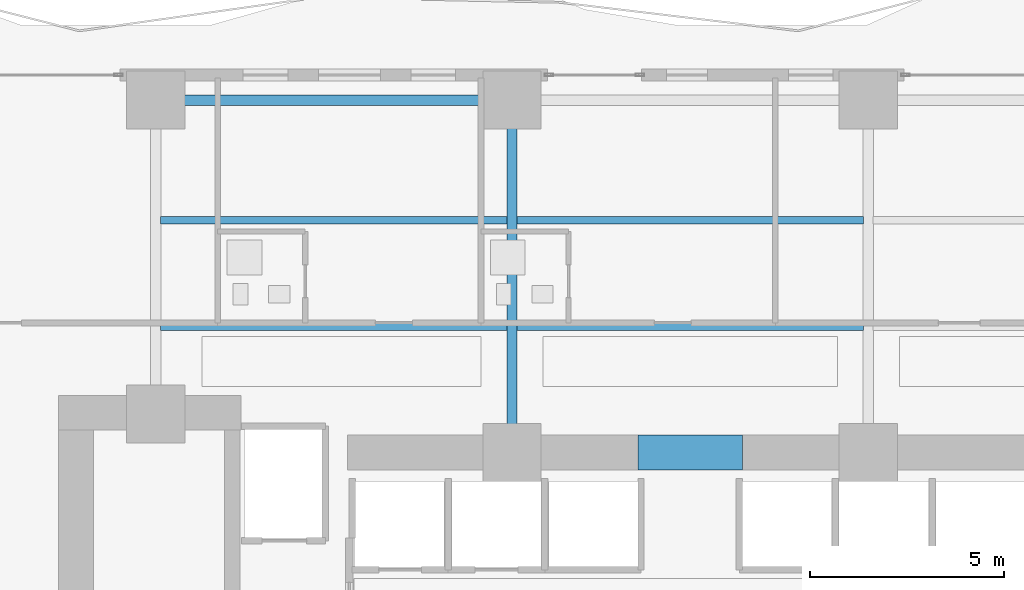
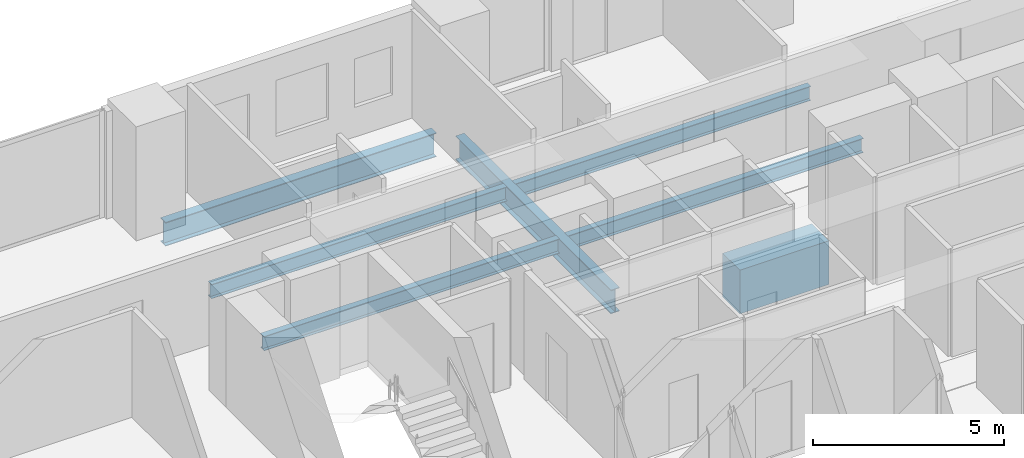
# One storey, part 14 of 28: 7 beams.
"""IFC4 building model written with IfcOpenShell, lengths in metres."""

import ifcopenshell
import ifcopenshell.guid

model = None  # the IFC model being written
_history = None  # IfcOwnerHistory: only IFC2X3 demands one
_inside = {}  # id of a spatial element -> (the spatial element, [elements in it])
_under = {}  # id of a project, library or spatial element -> (it, [spatial elements below it])
_declared = {}  # id of a project -> (the project, [libraries it declares])
_typed = {}  # id of a type object -> (the type object, [elements of that type])
_made_of = {}  # id of a material, layer set ... -> (it, [elements and type objects made of it])


def new_model(schema):
    """Start an empty IFC model of exactly this schema.

    Asked for "IFC4X3", IfcOpenShell would pick the latest addendum, in which some entities
    have other attributes; the version numbers below select the first issue.
    IFC2X3 requires an IfcOwnerHistory on every rooted entity: one is made here for all.
    """
    global model, _history
    if schema == "IFC4X3":
        model = ifcopenshell.file(schema_version=(4, 3, 0, 0))
    else:
        model = ifcopenshell.file(schema=schema)
    _inside.clear()
    _under.clear()
    _declared.clear()
    _typed.clear()
    _made_of.clear()
    _history = None
    if model.schema == "IFC2X3":
        org = make("IfcOrganization", Name="unknown")
        user = make(
            "IfcPersonAndOrganization",
            ThePerson=make("IfcPerson", FamilyName="unknown"),
            TheOrganization=org,
        )
        app = make(
            "IfcApplication",
            ApplicationDeveloper=org,
            Version="unknown",
            ApplicationFullName="unknown",
            ApplicationIdentifier="unknown",
        )
        _history = make(
            "IfcOwnerHistory",
            OwningUser=user,
            OwningApplication=app,
            ChangeAction="ADDED",
            CreationDate=0,
        )
    return model


def make(cls, **values):
    """One entity of the class cls with the attributes given. An attribute that is None is left unset."""
    return model.create_entity(
        cls, **{name: value for name, value in values.items() if value is not None}
    )


def rooted(cls, **values):
    """An entity with a GlobalId (a new one), such as an element, a storey or a relation."""
    return make(cls, GlobalId=ifcopenshell.guid.new(), OwnerHistory=_history, **values)


def si_unit(unit_type, name, prefix=None):
    """IfcSIUnit, for example si_unit("LENGTHUNIT", "METRE", prefix="MILLI")."""
    return make("IfcSIUnit", UnitType=unit_type, Prefix=prefix, Name=name)


def assignment(units):
    """IfcUnitAssignment: the units of a project."""
    return None if units is None else make("IfcUnitAssignment", Units=units)


def point(xyz):
    """IfcCartesianPoint."""
    return None if xyz is None else make("IfcCartesianPoint", Coordinates=xyz)


def direction(xyz):
    """IfcDirection."""
    return None if xyz is None else make("IfcDirection", DirectionRatios=xyz)


def frame(location, z_axis=None, x_axis=None):
    """IfcAxis2Placement3D, a coordinate frame: its origin and axes. An axis left out is left unset."""
    return make(
        "IfcAxis2Placement3D",
        Location=point(location),
        Axis=direction(z_axis),
        RefDirection=direction(x_axis),
    )


def frame_2d(location, x_axis=None):
    """IfcAxis2Placement2D, a coordinate frame in the plane: its origin and x axis."""
    return make(
        "IfcAxis2Placement2D", Location=point(location), RefDirection=direction(x_axis)
    )


def origin():
    """The frame at (0, 0, 0) with its axes left unset."""
    return frame((0.0, 0.0, 0.0))


def origin_2d():
    """The frame at (0, 0) in the plane with its x axis left unset."""
    return frame_2d((0.0, 0.0))


def place(relative_to, where):
    """IfcLocalPlacement: puts the frame where relative to a parent placement (None: the world)."""
    return make(
        "IfcLocalPlacement", PlacementRelTo=relative_to, RelativePlacement=where
    )


def context(
    kind, dimensions, precision=None, world=None, true_north=None, identifier=None
):
    """IfcGeometricRepresentationContext, for example the 3D "Model" context."""
    return make(
        "IfcGeometricRepresentationContext",
        ContextIdentifier=identifier,
        ContextType=kind,
        CoordinateSpaceDimension=dimensions,
        Precision=precision,
        WorldCoordinateSystem=world,
        TrueNorth=true_north,
    )


def subcontext(parent, identifier, kind, view, scale=None):
    """IfcGeometricRepresentationSubContext, for example "Body" below "Model"."""
    return make(
        "IfcGeometricRepresentationSubContext",
        ContextIdentifier=identifier,
        ContextType=kind,
        ParentContext=parent,
        TargetScale=scale,
        TargetView=view,
    )


def project(units=None, contexts=None):
    """IfcProject with its units and contexts."""
    return rooted(
        "IfcProject",
        Name="project",
        RepresentationContexts=contexts,
        UnitsInContext=assignment(units),
    )


def spatial(cls, under=None, at=None, **own):
    """A site, building, storey or space (cls), placed at a placement, below another one or the project."""
    s = rooted(cls, ObjectPlacement=at, **own)
    if under is not None:
        _under.setdefault(under.id(), (under, []))[1].append(s)
    return s


def profile(cls, at=None, kind="AREA", **sizes):
    """A parametric profile (cls). Its sizes go by their IFC names, for example OverallWidth=200.0."""
    return make(cls, ProfileType=kind, Position=at, **sizes)


def rectangle(**sizes):
    """IfcRectangleProfileDef."""
    return profile("IfcRectangleProfileDef", **sizes)


def i_section(**sizes):
    """IfcIShapeProfileDef."""
    return profile("IfcIShapeProfileDef", **sizes)


def extrude(swept, where, along, depth):
    """IfcExtrudedAreaSolid: the profile swept, set in the frame where, extruded along a direction by depth."""
    return make(
        "IfcExtrudedAreaSolid",
        SweptArea=swept,
        Position=where,
        ExtrudedDirection=direction(along),
        Depth=depth,
    )


def shape(context_of_items, identifier, shape_type, items):
    """IfcShapeRepresentation: the items that make up one representation, for example the "Body"."""
    return make(
        "IfcShapeRepresentation",
        ContextOfItems=context_of_items,
        RepresentationIdentifier=identifier,
        RepresentationType=shape_type,
        Items=items,
    )


def material(Name=None, Category=None):
    """IfcMaterial."""
    return make("IfcMaterial", Name=Name, Category=Category)


def material_profile(
    of_material, cross_section, Name=None, Category=None, Priority=None
):
    """IfcMaterialProfile: a cross section and its material."""
    return make(
        "IfcMaterialProfile",
        Name=Name,
        Material=of_material,
        Profile=cross_section,
        Priority=Priority,
        Category=Category,
    )


def profile_set(profiles, Name=None, composite=None):
    """IfcMaterialProfileSet."""
    return make(
        "IfcMaterialProfileSet",
        Name=Name,
        MaterialProfiles=profiles,
        CompositeProfile=composite,
    )


def made_of(thing, what):
    """Note that an element or type object is made of a material, layer set ...; save() writes the relation."""
    if what is not None:
        _made_of.setdefault(what.id(), (what, []))[1].append(thing)
    return thing


def type_object(cls, material=None, **own):
    """A type object (cls), such as IfcWallType, which elements share."""
    return made_of(rooted(cls, **own), material)


def element(
    cls,
    number,
    at=None,
    inside=None,
    cuts=None,
    type_object=None,
    material=None,
    context=None,
    identifier="Body",
    shape_type=None,
    held_by="IfcProductDefinitionShape",
    body=None,
    shapes=None,
    **own,
):
    """One element of the class cls, such as IfcWall. Its Tag is "e" and its number.

    at: its placement. inside: the storey or other place that contains it. cuts: it is an
    opening in that element (IfcRelVoidsElement). A single representation is given by context,
    identifier, shape_type and body (its items); several are given by shapes. held_by: the class
    of the entity that holds the representations. save() writes the other relations.
    """
    e = rooted(cls, Tag="e%d" % number, ObjectPlacement=at, **own)
    if body is not None:
        shapes = [shape(context, identifier, shape_type, body)]
    if shapes is not None:
        e.Representation = make(held_by, Representations=shapes)
    if inside is not None:
        _inside.setdefault(inside.id(), (inside, []))[1].append(e)
    if cuts is not None:
        rooted(
            "IfcRelVoidsElement", RelatingBuildingElement=cuts, RelatedOpeningElement=e
        )
    if type_object is not None:
        _typed.setdefault(type_object.id(), (type_object, []))[1].append(e)
    return made_of(e, material)


def aggregate(whole, parts):
    """IfcRelAggregates: a whole, such as a stair, and the parts it consists of."""
    return rooted("IfcRelAggregates", RelatingObject=whole, RelatedObjects=parts)


def save(model, path):
    """Write the relations noted so far, then the file.

    IfcRelAggregates (storeys below a building ...), IfcRelContainedInSpatialStructure (elements
    in a storey), IfcRelDefinesByType, IfcRelAssociatesMaterial and IfcRelDeclares: one each for
    every whole, place, type object, material and project.
    """
    for whole, parts in _under.values():
        aggregate(whole, parts)
    for where, things in _inside.values():
        rooted(
            "IfcRelContainedInSpatialStructure",
            RelatedElements=things,
            RelatingStructure=where,
        )
    for kind, things in _typed.values():
        rooted("IfcRelDefinesByType", RelatedObjects=things, RelatingType=kind)
    for what, things in _made_of.values():
        rooted("IfcRelAssociatesMaterial", RelatedObjects=things, RelatingMaterial=what)
    for by, libraries in _declared.values():
        rooted("IfcRelDeclares", RelatingContext=by, RelatedDefinitions=libraries)
    model.write(path)


model = new_model("IFC4")

# Units and contexts
model_context = context("Model", 3, precision=1e-05, world=origin(), true_north=direction((0.0, 1.0)))
body_context = subcontext(model_context, "Body", "Model", "MODEL_VIEW")
ifc_project = project(units=[si_unit("LENGTHUNIT", "METRE"), si_unit("AREAUNIT", "SQUARE_METRE"), si_unit("VOLUMEUNIT", "CUBIC_METRE"), si_unit("PLANEANGLEUNIT", "RADIAN"), si_unit("MASSUNIT", "GRAM", prefix="KILO")], contexts=[model_context])

# Site, building, storey
site_placement = place(None, origin())
site = spatial("IfcSite", under=ifc_project, at=site_placement, CompositionType="ELEMENT")
building_placement = place(site_placement, origin())
building = spatial("IfcBuilding", under=site, at=building_placement, Name="Zuhayl Quay Hotel", CompositionType="ELEMENT")
storey_placement = place(building_placement, frame((0.0, 0.0, 49.5)))
storey = spatial("IfcBuildingStorey", under=building, at=storey_placement, Name="L11", CompositionType="ELEMENT", Elevation=49.5)

# Beams
ifc_material_1 = material(Name="Steel ASTM A992 Grade 50", Category="steel")
ifc_material_profile_1 = material_profile(ifc_material_1, i_section(OverallWidth=0.26708984375, OverallDepth=0.761962890625, WebThickness=0.014404296875, FlangeThickness=0.021484375, at=origin_2d()), Name="W30X116")
ifc_profile_set_1 = profile_set([ifc_material_profile_1], Name="Steel ASTM A992 Grade 50")
beam_type_1 = type_object("IfcBeamType", Name="BM_B1_W30X116", PredefinedType="BEAM", material=ifc_profile_set_1)
beam_1_placement = place(storey_placement, frame((-5.10009765625, 22.449951171875, -0.60107421875), z_axis=(-1.0, 0.0, 0.0), x_axis=(0.0, -1.0, 0.0)))
element("IfcBeam", 1, at=beam_1_placement, inside=storey, type_object=beam_type_1, Name="L11 Floor Beam RG_L11_09", PredefinedType="BEAM", context=body_context, shape_type="SweptSolid", body=[
    extrude(i_section(OverallWidth=0.26708984375, OverallDepth=0.761962890625, WebThickness=0.014404296875, FlangeThickness=0.021484375, at=origin_2d()), origin(), (0.0, 0.0, 1.0), 8.199951171875),
])
beam_2_placement = place(storey_placement, frame((-4.60009765625, 13.800048828125, -0.60107421875), z_axis=(0.0, 1.0, 0.0), x_axis=(-1.0, 0.0, 0.0)))
element("IfcBeam", 2, at=beam_2_placement, inside=storey, type_object=beam_type_1, Name="L11 Floor Beam FG_N_L11_2", PredefinedType="BEAM", context=body_context, shape_type="SweptSolid", body=[
    extrude(i_section(OverallWidth=0.26708984375, OverallDepth=0.761962890625, WebThickness=0.014404296875, FlangeThickness=0.021484375, at=origin_2d()), origin(), (0.0, 0.0, 1.0), 8.14990234375),
])
ifc_material_2 = material(Name="Concrete C60/75", Category="concrete")
ifc_material_profile_2 = material_profile(ifc_material_2, rectangle(XDim=0.89990234375, YDim=1.39990234375, at=origin_2d()), Name="RC900X1400")
ifc_profile_set_2 = profile_set([ifc_material_profile_2], Name="Concrete C60/75")
beam_type_2 = type_object("IfcBeamType", Name="BM_CB1_RC900", PredefinedType="T_BEAM", material=ifc_profile_set_2)
beam_3_placement = place(storey_placement, frame((-1.35009765625, 13.35009765625, -0.919921875), z_axis=(1.0, 0.0, 0.0), x_axis=(0.0, 1.0, 0.0)))
element("IfcBeam", 3, at=beam_3_placement, inside=storey, type_object=beam_type_2, Name="L11 Core Coupling Beam North", PredefinedType="T_BEAM", context=body_context, shape_type="SweptSolid", body=[
    extrude(rectangle(XDim=0.89990234375, YDim=1.39990234375, at=origin_2d()), origin(), (0.0, 0.0, 1.0), 2.7001953125),
])
ifc_material_profile_3 = material_profile(ifc_material_1, i_section(OverallWidth=0.18994140625, OverallDepth=0.45703125, WebThickness=0.009033203125, FlangeThickness=0.014404296875, at=origin_2d()), Name="W18X50")
ifc_profile_set_3 = profile_set([ifc_material_profile_3], Name="Steel ASTM A992 Grade 50")
beam_type_3 = type_object("IfcBeamType", Name="BM_J2_W18X50", PredefinedType="JOIST", material=ifc_profile_set_3)
beam_4_placement = place(storey_placement, frame((-13.674560546875, 16.60009765625, -0.448486328125), z_axis=(1.0, 0.0, 0.0), x_axis=(0.0, 1.0, 0.0)))
element("IfcBeam", 4, at=beam_4_placement, inside=storey, type_object=beam_type_3, Name="L11 Floor Beam FJ_L11_1_1", PredefinedType="JOIST", context=body_context, shape_type="SweptSolid", body=[
    extrude(i_section(OverallWidth=0.18994140625, OverallDepth=0.45703125, WebThickness=0.009033203125, FlangeThickness=0.014404296875, at=origin_2d()), origin(), (0.0, 0.0, 1.0), 8.948974609375),
])
beam_5_placement = place(storey_placement, frame((-4.474609375, 16.60009765625, -0.448486328125), z_axis=(1.0, 0.0, 0.0), x_axis=(0.0, 1.0, 0.0)))
element("IfcBeam", 5, at=beam_5_placement, inside=storey, type_object=beam_type_3, Name="L11 Floor Beam FJ_L11_1_2", PredefinedType="JOIST", context=body_context, shape_type="SweptSolid", body=[
    extrude(i_section(OverallWidth=0.18994140625, OverallDepth=0.45703125, WebThickness=0.009033203125, FlangeThickness=0.014404296875, at=origin_2d()), origin(), (0.0, 0.0, 1.0), 8.94921875),
])
beam_6_placement = place(storey_placement, frame((-13.674560546875, 19.35009765625, -0.448486328125), z_axis=(1.0, 0.0, 0.0), x_axis=(0.0, 1.0, 0.0)))
element("IfcBeam", 6, at=beam_6_placement, inside=storey, type_object=beam_type_3, Name="L11 Floor Beam FJ_L11_2_1", PredefinedType="JOIST", context=body_context, shape_type="SweptSolid", body=[
    extrude(i_section(OverallWidth=0.18994140625, OverallDepth=0.45703125, WebThickness=0.009033203125, FlangeThickness=0.014404296875, at=origin_2d()), origin(), (0.0, 0.0, 1.0), 8.948974609375),
])
beam_7_placement = place(storey_placement, frame((-4.474609375, 19.35009765625, -0.448486328125), z_axis=(1.0, 0.0, 0.0), x_axis=(0.0, 1.0, 0.0)))
element("IfcBeam", 7, at=beam_7_placement, inside=storey, type_object=beam_type_3, Name="L11 Floor Beam FJ_L11_2_2", PredefinedType="JOIST", context=body_context, shape_type="SweptSolid", body=[
    extrude(i_section(OverallWidth=0.18994140625, OverallDepth=0.45703125, WebThickness=0.009033203125, FlangeThickness=0.014404296875, at=origin_2d()), origin(), (0.0, 0.0, 1.0), 8.94921875),
])

save(model, "model.ifc")
